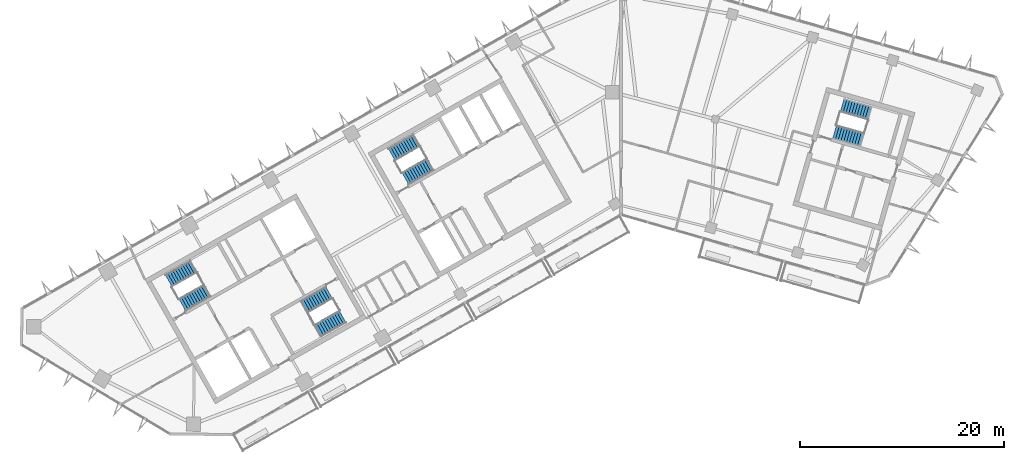
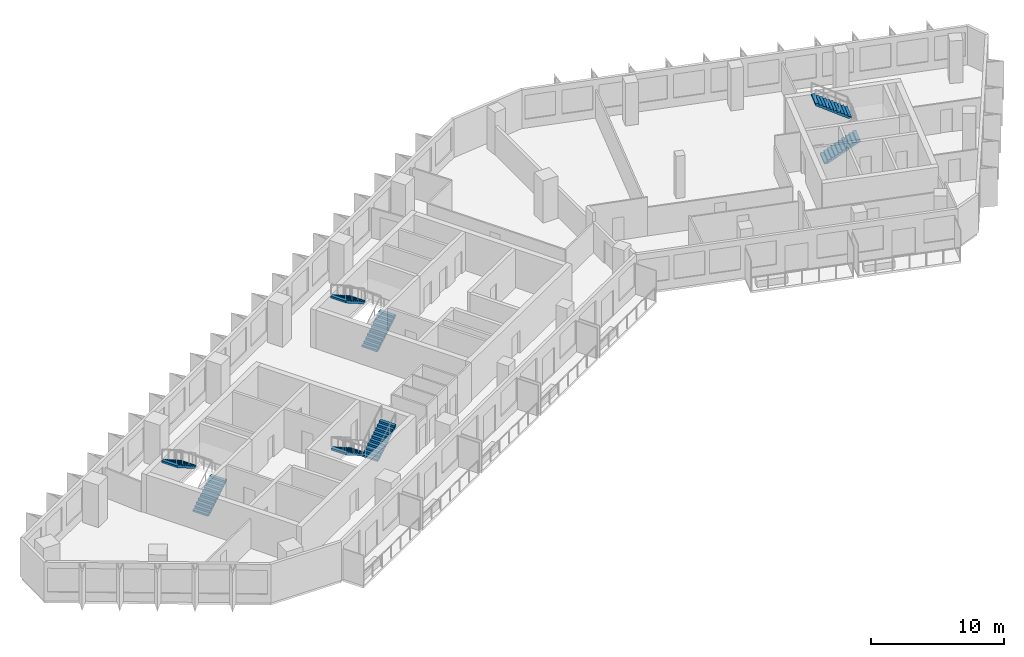
# One storey, part 9 of 12: 8 stair flights, 4 elements without a shape of their own.
"""IFC4 building model written with IfcOpenShell, lengths in metres."""

from ifc_helpers import new_model, si_unit, direction, frame, origin, place, context, subcontext, project, spatial, polyline, outline, extrude, material, type_object, element, aggregate, save


model = new_model("IFC4")

# Units and contexts
model_context = context("Model", 3, precision=1e-05, world=origin(), true_north=direction((0.0, 1.0)))
body_context = subcontext(model_context, "Body", "Model", "MODEL_VIEW")
ifc_project = project(units=[si_unit("LENGTHUNIT", "METRE"), si_unit("AREAUNIT", "SQUARE_METRE"), si_unit("VOLUMEUNIT", "CUBIC_METRE"), si_unit("PLANEANGLEUNIT", "RADIAN"), si_unit("MASSUNIT", "GRAM", prefix="KILO")], contexts=[model_context])

# Site, building, storey
site_placement = place(None, origin())
site = spatial("IfcSite", under=ifc_project, at=site_placement, CompositionType="ELEMENT")
building_placement = place(site_placement, origin())
building = spatial("IfcBuilding", under=site, at=building_placement, Name="Binnacle Exchange Tower", CompositionType="ELEMENT")
storey_placement = place(building_placement, frame((0.0, 0.0, 254.300048828125)))
storey = spatial("IfcBuildingStorey", under=building, at=storey_placement, Name="L56", CompositionType="ELEMENT", Elevation=254.300048828125)

# Stair, stair flights
ifc_material = material(Name="Concrete C35/45", Category="concrete")
stair_type = type_object("IfcStairType", Name="STAIR 22 RISERS 177", PredefinedType="HALF_TURN_STAIR", material=ifc_material)
stair_1_placement = place(storey_placement, origin())
stair_1 = element("IfcStair", 1, at=stair_1_placement, inside=storey, type_object=stair_type, Name="L56 Escape stair A1", PredefinedType="HALF_TURN_STAIR")
stair_flight_type = type_object("IfcStairFlightType", Name="STAIR FLIGHT 177X280", PredefinedType="STRAIGHT", material=ifc_material)
stair_flight_1_placement = place(storey_placement, frame((-42.9541015625, 39.17333984375, 0.0), z_axis=(0.0, 0.0, 1.0), x_axis=(0.870355584213, 0.492423757581, 0.0)))
stair_flight_1 = element("IfcStairFlight", 2, at=stair_flight_1_placement, type_object=stair_flight_type, Name="STA1 flight 1", NumberOfRisers=11, NumberOfTreads=10, PredefinedType="STRAIGHT", RiserHeight=0.177272727, TreadLength=0.28, context=body_context, shape_type="SweptSolid", body=[
    extrude(outline(polyline([(0.0, 0.0), (0.0, 0.17724609375), (0.280029296875, 0.17724609375), (0.280029296875, 0.3544921875), (0.56005859375, 0.3544921875), (0.56005859375, 0.53173828125), (0.840087890625, 0.53173828125), (0.840087890625, 0.708984375), (1.1201171875, 0.708984375), (1.1201171875, 0.886474609375), (1.39990234375, 0.886474609375), (1.39990234375, 1.063720703125), (1.679931640625, 1.063720703125), (1.679931640625, 1.240966796875), (1.9599609375, 1.240966796875), (1.9599609375, 1.418212890625), (2.239990234375, 1.418212890625), (2.239990234375, 1.595458984375), (2.52001953125, 1.595458984375), (2.52001953125, 1.772705078125), (2.800048828125, 1.772705078125), (2.800048828125, 1.949951171875), (2.800048828125, 1.59521484375), (0.2802734375, 0.0), (0.0, 0.0)])), frame((0.0, 0.675048828125, 0.0), z_axis=(0.0, -1.0, 0.0), x_axis=(1.0, 0.0, 0.0)), (0.0, 0.0, 1.0), 1.35009765625),
])
stair_flight_2_placement = place(storey_placement, frame((-41.846435546875, 42.902099609375, 1.949951171875), z_axis=(0.0, 0.0, 1.0), x_axis=(-0.870355584213, -0.492423757581, 0.0)))
stair_flight_2 = element("IfcStairFlight", 3, at=stair_flight_2_placement, type_object=stair_flight_type, Name="STA1 flight 2", NumberOfRisers=11, NumberOfTreads=10, PredefinedType="STRAIGHT", RiserHeight=0.177272727, TreadLength=0.28, context=body_context, shape_type="SweptSolid", body=[
    extrude(outline(polyline([(0.0, 0.0), (0.0, 0.17724609375), (0.280029296875, 0.17724609375), (0.280029296875, 0.3544921875), (0.56005859375, 0.3544921875), (0.56005859375, 0.53173828125), (0.840087890625, 0.53173828125), (0.840087890625, 0.708984375), (1.1201171875, 0.708984375), (1.1201171875, 0.886474609375), (1.39990234375, 0.886474609375), (1.39990234375, 1.063720703125), (1.679931640625, 1.063720703125), (1.679931640625, 1.240966796875), (1.9599609375, 1.240966796875), (1.9599609375, 1.418212890625), (2.239990234375, 1.418212890625), (2.239990234375, 1.595458984375), (2.52001953125, 1.595458984375), (2.52001953125, 1.772705078125), (2.800048828125, 1.772705078125), (2.800048828125, 1.949951171875), (2.800048828125, 1.59521484375), (0.2802734375, 0.0), (0.0, 0.0)])), frame((0.0, 0.675048828125, 0.0), z_axis=(0.0, -1.0, 0.0), x_axis=(1.0, 0.0, 0.0)), (0.0, 0.0, 1.0), 1.35009765625),
])
aggregate(stair_1, [stair_flight_1, stair_flight_2])

stair_2_placement = place(storey_placement, origin())
stair_2 = element("IfcStair", 4, at=stair_2_placement, inside=storey, type_object=stair_type, Name="L56 Escape stair A2", PredefinedType="HALF_TURN_STAIR")
stair_flight_3_placement = place(storey_placement, frame((-28.5732421875, 40.3583984375, 0.0), z_axis=(0.0, 0.0, 1.0), x_axis=(-0.870355584213, -0.492423757581, 0.0)))
stair_flight_3 = element("IfcStairFlight", 5, at=stair_flight_3_placement, type_object=stair_flight_type, Name="STA2 flight 1", NumberOfRisers=11, NumberOfTreads=10, PredefinedType="STRAIGHT", RiserHeight=0.177272727, TreadLength=0.28, context=body_context, shape_type="SweptSolid", body=[
    extrude(outline(polyline([(0.0, 0.0), (0.0, 0.17724609375), (0.280029296875, 0.17724609375), (0.280029296875, 0.3544921875), (0.56005859375, 0.3544921875), (0.56005859375, 0.53173828125), (0.840087890625, 0.53173828125), (0.840087890625, 0.708984375), (1.1201171875, 0.708984375), (1.1201171875, 0.886474609375), (1.39990234375, 0.886474609375), (1.39990234375, 1.063720703125), (1.679931640625, 1.063720703125), (1.679931640625, 1.240966796875), (1.9599609375, 1.240966796875), (1.9599609375, 1.418212890625), (2.239990234375, 1.418212890625), (2.239990234375, 1.595458984375), (2.52001953125, 1.595458984375), (2.52001953125, 1.772705078125), (2.800048828125, 1.772705078125), (2.800048828125, 1.949951171875), (2.800048828125, 1.59521484375), (0.2802734375, 0.0), (0.0, 0.0)])), frame((0.0, 0.675048828125, 0.0), z_axis=(0.0, -1.0, 0.0), x_axis=(1.0, 0.0, 0.0)), (0.0, 0.0, 1.0), 1.35009765625),
])
stair_flight_4_placement = place(storey_placement, frame((-29.6806640625, 36.629638671875, 1.949951171875), z_axis=(0.0, 0.0, 1.0), x_axis=(0.870355584213, 0.492423757581, 0.0)))
stair_flight_4 = element("IfcStairFlight", 6, at=stair_flight_4_placement, type_object=stair_flight_type, Name="STA2 flight 2", NumberOfRisers=11, NumberOfTreads=10, PredefinedType="STRAIGHT", RiserHeight=0.177272727, TreadLength=0.28, context=body_context, shape_type="SweptSolid", body=[
    extrude(outline(polyline([(0.0, 0.0), (0.0, 0.17724609375), (0.280029296875, 0.17724609375), (0.280029296875, 0.3544921875), (0.56005859375, 0.3544921875), (0.56005859375, 0.53173828125), (0.840087890625, 0.53173828125), (0.840087890625, 0.708984375), (1.1201171875, 0.708984375), (1.1201171875, 0.886474609375), (1.39990234375, 0.886474609375), (1.39990234375, 1.063720703125), (1.679931640625, 1.063720703125), (1.679931640625, 1.240966796875), (1.9599609375, 1.240966796875), (1.9599609375, 1.418212890625), (2.239990234375, 1.418212890625), (2.239990234375, 1.595458984375), (2.52001953125, 1.595458984375), (2.52001953125, 1.772705078125), (2.800048828125, 1.772705078125), (2.800048828125, 1.949951171875), (2.800048828125, 1.59521484375), (0.2802734375, 0.0), (0.0, 0.0)])), frame((0.0, 0.675048828125, 0.0), z_axis=(0.0, -1.0, 0.0), x_axis=(1.0, 0.0, 0.0)), (0.0, 0.0, 1.0), 1.35009765625),
])
aggregate(stair_2, [stair_flight_3, stair_flight_4])

stair_3_placement = place(storey_placement, origin())
stair_3 = element("IfcStair", 7, at=stair_3_placement, inside=storey, type_object=stair_type, Name="L56 Escape stair C1", PredefinedType="HALF_TURN_STAIR")
stair_flight_5_placement = place(storey_placement, frame((-21.115966796875, 51.528564453125, 0.0), z_axis=(0.0, 0.0, 1.0), x_axis=(0.870355584213, 0.492423757581, 0.0)))
stair_flight_5 = element("IfcStairFlight", 8, at=stair_flight_5_placement, type_object=stair_flight_type, Name="STC1 flight 1", NumberOfRisers=11, NumberOfTreads=10, PredefinedType="STRAIGHT", RiserHeight=0.177272727, TreadLength=0.28, context=body_context, shape_type="SweptSolid", body=[
    extrude(outline(polyline([(0.0, 0.0), (0.0, 0.17724609375), (0.280029296875, 0.17724609375), (0.280029296875, 0.3544921875), (0.56005859375, 0.3544921875), (0.56005859375, 0.53173828125), (0.840087890625, 0.53173828125), (0.840087890625, 0.708984375), (1.1201171875, 0.708984375), (1.1201171875, 0.886474609375), (1.39990234375, 0.886474609375), (1.39990234375, 1.063720703125), (1.679931640625, 1.063720703125), (1.679931640625, 1.240966796875), (1.9599609375, 1.240966796875), (1.9599609375, 1.418212890625), (2.239990234375, 1.418212890625), (2.239990234375, 1.595458984375), (2.52001953125, 1.595458984375), (2.52001953125, 1.772705078125), (2.800048828125, 1.772705078125), (2.800048828125, 1.949951171875), (2.800048828125, 1.59521484375), (0.2802734375, 0.0), (0.0, 0.0)])), frame((0.0, 0.675048828125, 0.0), z_axis=(0.0, -1.0, 0.0), x_axis=(1.0, 0.0, 0.0)), (0.0, 0.0, 1.0), 1.35009765625),
])
stair_flight_6_placement = place(storey_placement, frame((-20.008544921875, 55.25732421875, 1.949951171875), z_axis=(0.0, 0.0, 1.0), x_axis=(-0.870355584213, -0.492423757581, 0.0)))
stair_flight_6 = element("IfcStairFlight", 9, at=stair_flight_6_placement, type_object=stair_flight_type, Name="STC1 flight 2", NumberOfRisers=11, NumberOfTreads=10, PredefinedType="STRAIGHT", RiserHeight=0.177272727, TreadLength=0.28, context=body_context, shape_type="SweptSolid", body=[
    extrude(outline(polyline([(0.0, 0.0), (0.0, 0.17724609375), (0.280029296875, 0.17724609375), (0.280029296875, 0.3544921875), (0.56005859375, 0.3544921875), (0.56005859375, 0.53173828125), (0.840087890625, 0.53173828125), (0.840087890625, 0.708984375), (1.1201171875, 0.708984375), (1.1201171875, 0.886474609375), (1.39990234375, 0.886474609375), (1.39990234375, 1.063720703125), (1.679931640625, 1.063720703125), (1.679931640625, 1.240966796875), (1.9599609375, 1.240966796875), (1.9599609375, 1.418212890625), (2.239990234375, 1.418212890625), (2.239990234375, 1.595458984375), (2.52001953125, 1.595458984375), (2.52001953125, 1.772705078125), (2.800048828125, 1.772705078125), (2.800048828125, 1.949951171875), (2.800048828125, 1.59521484375), (0.2802734375, 0.0), (0.0, 0.0)])), frame((0.0, 0.675048828125, 0.0), z_axis=(0.0, -1.0, 0.0), x_axis=(1.0, 0.0, 0.0)), (0.0, 0.0, 1.0), 1.35009765625),
])
aggregate(stair_3, [stair_flight_5, stair_flight_6])

stair_4_placement = place(storey_placement, origin())
stair_4 = element("IfcStair", 10, at=stair_4_placement, inside=storey, type_object=stair_type, Name="L56 Escape stair D1", PredefinedType="HALF_TURN_STAIR")
stair_flight_7_placement = place(storey_placement, frame((20.914306640625, 56.109619140625, 0.0), z_axis=(0.0, 0.0, 1.0), x_axis=(0.961261811397, -0.275636953165, 0.0)))
stair_flight_7 = element("IfcStairFlight", 11, at=stair_flight_7_placement, type_object=stair_flight_type, Name="STD1 flight 1", NumberOfRisers=11, NumberOfTreads=10, PredefinedType="STRAIGHT", RiserHeight=0.177272727, TreadLength=0.28, context=body_context, shape_type="SweptSolid", body=[
    extrude(outline(polyline([(0.0, 0.0), (0.0, 0.17724609375), (0.280029296875, 0.17724609375), (0.280029296875, 0.3544921875), (0.56005859375, 0.3544921875), (0.56005859375, 0.53173828125), (0.840087890625, 0.53173828125), (0.840087890625, 0.708984375), (1.1201171875, 0.708984375), (1.1201171875, 0.886474609375), (1.39990234375, 0.886474609375), (1.39990234375, 1.063720703125), (1.679931640625, 1.063720703125), (1.679931640625, 1.240966796875), (1.9599609375, 1.240966796875), (1.9599609375, 1.418212890625), (2.239990234375, 1.418212890625), (2.239990234375, 1.595458984375), (2.52001953125, 1.595458984375), (2.52001953125, 1.772705078125), (2.800048828125, 1.772705078125), (2.800048828125, 1.949951171875), (2.800048828125, 1.59521484375), (0.2802734375, 0.0), (0.0, 0.0)])), frame((0.0, 0.675048828125, 0.0), z_axis=(0.0, -1.0, 0.0), x_axis=(1.0, 0.0, 0.0)), (0.0, 0.0, 1.0), 1.35009765625),
])
stair_flight_8_placement = place(storey_placement, frame((24.35009765625, 57.93310546875, 1.949951171875), z_axis=(0.0, 0.0, 1.0), x_axis=(-0.961261811397, 0.275636953165, 0.0)))
stair_flight_8 = element("IfcStairFlight", 12, at=stair_flight_8_placement, type_object=stair_flight_type, Name="STD1 flight 2", NumberOfRisers=11, NumberOfTreads=10, PredefinedType="STRAIGHT", RiserHeight=0.177272727, TreadLength=0.28, context=body_context, shape_type="SweptSolid", body=[
    extrude(outline(polyline([(0.0, 0.0), (0.0, 0.17724609375), (0.280029296875, 0.17724609375), (0.280029296875, 0.3544921875), (0.56005859375, 0.3544921875), (0.56005859375, 0.53173828125), (0.840087890625, 0.53173828125), (0.840087890625, 0.708984375), (1.1201171875, 0.708984375), (1.1201171875, 0.886474609375), (1.39990234375, 0.886474609375), (1.39990234375, 1.063720703125), (1.679931640625, 1.063720703125), (1.679931640625, 1.240966796875), (1.9599609375, 1.240966796875), (1.9599609375, 1.418212890625), (2.239990234375, 1.418212890625), (2.239990234375, 1.595458984375), (2.52001953125, 1.595458984375), (2.52001953125, 1.772705078125), (2.800048828125, 1.772705078125), (2.800048828125, 1.949951171875), (2.800048828125, 1.59521484375), (0.2802734375, 0.0), (0.0, 0.0)])), frame((0.0, 0.675048828125, 0.0), z_axis=(0.0, -1.0, 0.0), x_axis=(1.0, 0.0, 0.0)), (0.0, 0.0, 1.0), 1.35009765625),
])
aggregate(stair_4, [stair_flight_7, stair_flight_8])

save(model, "model.ifc")
